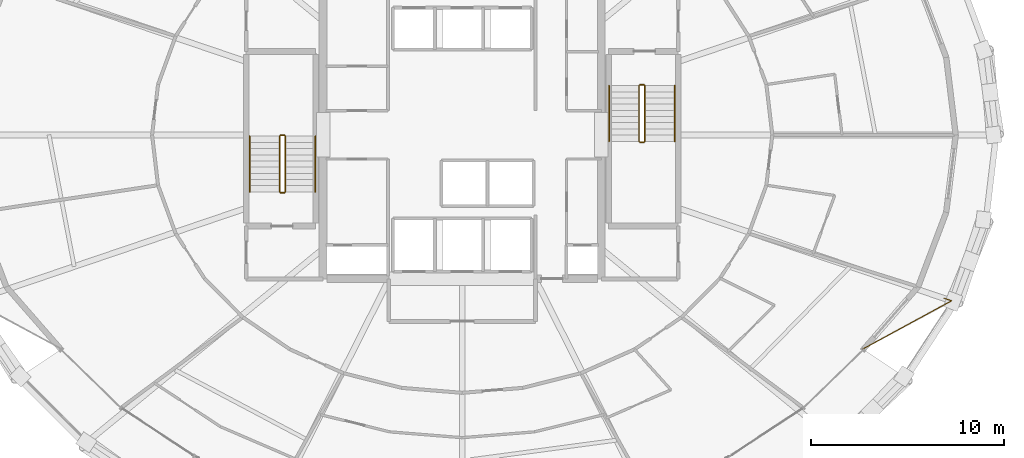
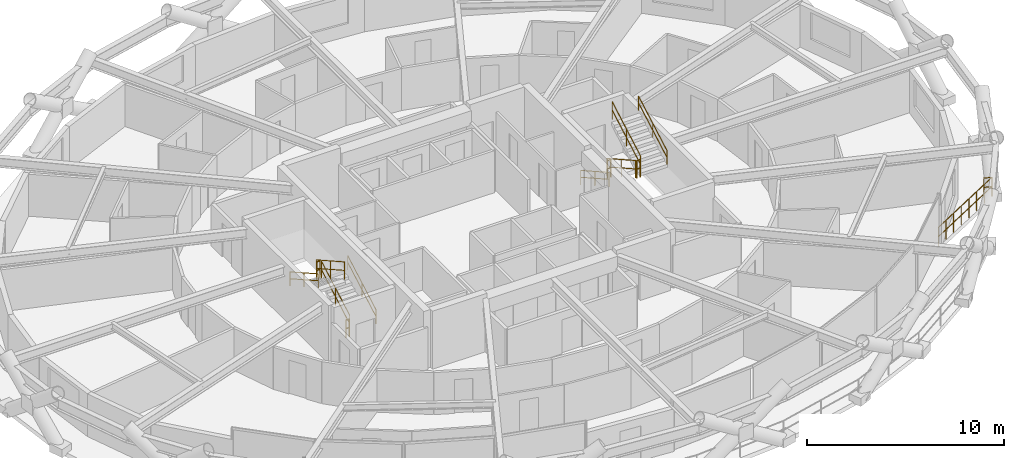
# One storey, part 17 of 17: 13 railings.
"""IFC4 building model written with IfcOpenShell, lengths in metres."""

from ifc_helpers import new_model, si_unit, direction, frame, origin, origin_2d, place, context, subcontext, project, spatial, circle, extrude, material, type_object, element, save


model = new_model("IFC4")

# Units and contexts
model_context = context("Model", 3, precision=1e-05, world=origin(), true_north=direction((0.0, 1.0)))
body_context = subcontext(model_context, "Body", "Model", "MODEL_VIEW")
ifc_project = project(units=[si_unit("LENGTHUNIT", "METRE"), si_unit("AREAUNIT", "SQUARE_METRE"), si_unit("VOLUMEUNIT", "CUBIC_METRE"), si_unit("PLANEANGLEUNIT", "RADIAN"), si_unit("MASSUNIT", "GRAM", prefix="KILO")], contexts=[model_context])

# Site, building, storey
site_placement = place(None, origin())
site = spatial("IfcSite", under=ifc_project, at=site_placement, CompositionType="ELEMENT")
building_placement = place(site_placement, origin())
building = spatial("IfcBuilding", under=site, at=building_placement, Name="Veldorina Hangang Commons", CompositionType="ELEMENT")
storey_placement = place(building_placement, frame((0.0, 0.0, 30.39990234375)))
storey = spatial("IfcBuildingStorey", under=building, at=storey_placement, Name="L06", CompositionType="ELEMENT", Elevation=30.39990234375)

# Railings
ifc_material_1 = material(Name="Glass Laminated Safety Balustrade", Category="glass")
railing_type_1 = type_object("IfcRailingType", Name="RL-BAL-LOGGIA", PredefinedType="BALUSTRADE", material=ifc_material_1)
railing_1_placement = place(storey_placement, frame((56.93310546875, 15.550048828125, 0.0)))
element("IfcRailing", 1, at=railing_1_placement, inside=storey, type_object=railing_type_1, Name="L06 sky-garden loggia end balustrade B", PredefinedType="BALUSTRADE", context=body_context, shape_type="SweptSolid", body=[
    extrude(circle(Radius=0.02392578125, at=origin_2d()), frame((0.0, 0.0, 1.17578125), z_axis=(0.947101827143, -0.320933215828, 0.0), x_axis=(0.320933215828, 0.947101827143, 0.0)), (0.0, 0.0, 1.0), 0.419921875),
    extrude(circle(Radius=0.02392578125, at=origin_2d()), frame((0.0, 0.0, 0.60009765625), z_axis=(0.947101827143, -0.320933215828, 0.0), x_axis=(0.320933215828, 0.947101827143, 0.0)), (0.0, 0.0, 1.0), 0.419921875),
    extrude(circle(Radius=0.02392578125, at=origin_2d()), frame((0.397705078125, -0.134765625, 1.17578125), z_axis=(-0.878721986398, -0.477333919411, 0.0), x_axis=(0.477333919411, -0.878721986398, 0.0)), (0.0, 0.0, 1.0), 5.230224609375),
    extrude(circle(Radius=0.02392578125, at=origin_2d()), frame((0.397705078125, -0.134765625, 0.60009765625), z_axis=(-0.878721986398, -0.477333919411, 0.0), x_axis=(0.477333919411, -0.878721986398, 0.0)), (0.0, 0.0, 1.0), 5.230224609375),
    extrude(circle(Radius=0.02099609375, at=origin_2d()), origin(), (0.0, 0.0, 1.0), 1.15185546875),
    extrude(circle(Radius=0.02099609375, at=origin_2d()), frame((0.397705078125, -0.134765625, 0.0)), (0.0, 0.0, 1.0), 1.15185546875),
    extrude(circle(Radius=0.02099609375, at=origin_2d()), frame((-0.2587890625, -0.491455078125, 0.0)), (0.0, 0.0, 1.0), 1.15185546875),
    extrude(circle(Radius=0.02099609375, at=origin_2d()), frame((-0.91552734375, -0.84814453125, 0.0)), (0.0, 0.0, 1.0), 1.15185546875),
    extrude(circle(Radius=0.02099609375, at=origin_2d()), frame((-1.572021484375, -1.204833984375, 0.0)), (0.0, 0.0, 1.0), 1.15185546875),
    extrude(circle(Radius=0.02099609375, at=origin_2d()), frame((-2.228515625, -1.561279296875, 0.0)), (0.0, 0.0, 1.0), 1.15185546875),
    extrude(circle(Radius=0.02099609375, at=origin_2d()), frame((-2.885009765625, -1.91796875, 0.0)), (0.0, 0.0, 1.0), 1.15185546875),
    extrude(circle(Radius=0.02099609375, at=origin_2d()), frame((-3.541748046875, -2.274658203125, 0.0)), (0.0, 0.0, 1.0), 1.15185546875),
    extrude(circle(Radius=0.02099609375, at=origin_2d()), frame((-4.1982421875, -2.63134765625, 0.0)), (0.0, 0.0, 1.0), 1.15185546875),
])
ifc_material_2 = material(Name="Steel Painted Balustrade", Category="steel")
railing_type_2 = type_object("IfcRailingType", Name="RL-GRD-STAIR", PredefinedType="GUARDRAIL", material=ifc_material_2)
railing_2_placement = place(storey_placement, frame((22.85009765625, 21.050048828125, 0.18017578125)))
element("IfcRailing", 2, at=railing_2_placement, inside=storey, type_object=railing_type_2, Name="L06 ST-1 stair guard 1", PredefinedType="GUARDRAIL", context=body_context, shape_type="SweptSolid", body=[
    extrude(circle(Radius=0.02392578125, at=origin_2d()), frame((0.0, 0.0, 1.076171875), z_axis=(0.0, 0.871583430097, 0.490247207417), x_axis=(-1.0, 0.0, 0.0)), (0.0, 0.0, 1.0), 3.30419921875),
    extrude(circle(Radius=0.02392578125, at=origin_2d()), frame((0.0, 0.0, 0.550048828125), z_axis=(0.0, 0.871583430097, 0.490247207417), x_axis=(-1.0, 0.0, 0.0)), (0.0, 0.0, 1.0), 3.30419921875),
    extrude(circle(Radius=0.02099609375, at=origin_2d()), origin(), (0.0, 0.0, 1.0), 1.052001953125),
    extrude(circle(Radius=0.02099609375, at=origin_2d()), frame((0.0, 1.43994140625, 0.81005859375)), (0.0, 0.0, 1.0), 1.052001953125),
    extrude(circle(Radius=0.02099609375, at=origin_2d()), frame((0.0, 2.8798828125, 1.619873046875)), (0.0, 0.0, 1.0), 1.052001953125),
])
railing_3_placement = place(storey_placement, frame((22.800048828125, 23.97998046875, 1.800048828125)))
element("IfcRailing", 3, at=railing_3_placement, inside=storey, type_object=railing_type_2, Name="L06 ST-1 stair guard 2", PredefinedType="GUARDRAIL", context=body_context, shape_type="SweptSolid", body=[
    extrude(circle(Radius=0.02392578125, at=origin_2d()), frame((0.0, 0.0, 1.076171875), z_axis=(-1.0, 0.0, 0.0), x_axis=(0.0, -1.0, 0.0)), (0.0, 0.0, 1.0), 0.199951171875),
    extrude(circle(Radius=0.02392578125, at=origin_2d()), frame((0.0, 0.0, 0.550048828125), z_axis=(-1.0, 0.0, 0.0), x_axis=(0.0, -1.0, 0.0)), (0.0, 0.0, 1.0), 0.199951171875),
    extrude(circle(Radius=0.02099609375, at=origin_2d()), origin(), (0.0, 0.0, 1.0), 1.052001953125),
    extrude(circle(Radius=0.02099609375, at=origin_2d()), frame((-0.199951171875, 0.0, 0.0)), (0.0, 0.0, 1.0), 1.052001953125),
])
railing_4_placement = place(storey_placement, frame((22.550048828125, 23.929931640625, 1.97998046875)))
element("IfcRailing", 4, at=railing_4_placement, inside=storey, type_object=railing_type_2, Name="L06 ST-1 stair guard 3", PredefinedType="GUARDRAIL", context=body_context, shape_type="SweptSolid", body=[
    extrude(circle(Radius=0.02392578125, at=origin_2d()), frame((0.0, 0.0, 1.076171875), z_axis=(0.0, -0.87155185771, 0.490303333991), x_axis=(1.0, 0.0, 0.0)), (0.0, 0.0, 1.0), 3.30419921875),
    extrude(circle(Radius=0.02392578125, at=origin_2d()), frame((0.0, 0.0, 0.550048828125), z_axis=(0.0, -0.87155185771, 0.490303333991), x_axis=(1.0, 0.0, 0.0)), (0.0, 0.0, 1.0), 3.30419921875),
    extrude(circle(Radius=0.02099609375, at=origin_2d()), origin(), (0.0, 0.0, 1.0), 1.052001953125),
    extrude(circle(Radius=0.02099609375, at=origin_2d()), frame((0.0, -1.43994140625, 0.81005859375)), (0.0, 0.0, 1.0), 1.052001953125),
    extrude(circle(Radius=0.02099609375, at=origin_2d()), frame((0.0, -2.8798828125, 1.6201171875)), (0.0, 0.0, 1.0), 1.052001953125),
])
railing_5_placement = place(storey_placement, frame((22.800048828125, 21.0, 0.0)))
element("IfcRailing", 5, at=railing_5_placement, inside=storey, type_object=railing_type_2, Name="L06 ST-1 stair guard 4", PredefinedType="GUARDRAIL", context=body_context, shape_type="SweptSolid", body=[
    extrude(circle(Radius=0.02392578125, at=origin_2d()), frame((0.0, 0.0, 1.076171875), z_axis=(-1.0, 0.0, 0.0), x_axis=(0.0, -1.0, 0.0)), (0.0, 0.0, 1.0), 0.199951171875),
    extrude(circle(Radius=0.02392578125, at=origin_2d()), frame((0.0, 0.0, 0.550048828125), z_axis=(-1.0, 0.0, 0.0), x_axis=(0.0, -1.0, 0.0)), (0.0, 0.0, 1.0), 0.199951171875),
    extrude(circle(Radius=0.02099609375, at=origin_2d()), origin(), (0.0, 0.0, 1.0), 1.052001953125),
    extrude(circle(Radius=0.02099609375, at=origin_2d()), frame((-0.199951171875, 0.0, 0.0)), (0.0, 0.0, 1.0), 1.052001953125),
])
railing_6_placement = place(storey_placement, frame((41.14990234375, 26.550048828125, 0.18017578125)))
element("IfcRailing", 6, at=railing_6_placement, inside=storey, type_object=railing_type_2, Name="L06 ST-2 stair guard 1", PredefinedType="GUARDRAIL", context=body_context, shape_type="SweptSolid", body=[
    extrude(circle(Radius=0.02392578125, at=origin_2d()), frame((0.0, 0.0, 1.076171875), z_axis=(0.0, -0.871601186807, 0.490215637405), x_axis=(1.0, 0.0, 0.0)), (0.0, 0.0, 1.0), 3.304443359375),
    extrude(circle(Radius=0.02392578125, at=origin_2d()), frame((0.0, 0.0, 0.550048828125), z_axis=(0.0, -0.871601186807, 0.490215637405), x_axis=(1.0, 0.0, 0.0)), (0.0, 0.0, 1.0), 3.304443359375),
    extrude(circle(Radius=0.02099609375, at=origin_2d()), origin(), (0.0, 0.0, 1.0), 1.052001953125),
    extrude(circle(Radius=0.02099609375, at=origin_2d()), frame((0.0, -1.43994140625, 0.81005859375)), (0.0, 0.0, 1.0), 1.052001953125),
    extrude(circle(Radius=0.02099609375, at=origin_2d()), frame((0.0, -2.880126953125, 1.619873046875)), (0.0, 0.0, 1.0), 1.052001953125),
])
railing_7_placement = place(storey_placement, frame((41.199951171875, 23.6201171875, 1.800048828125)))
element("IfcRailing", 7, at=railing_7_placement, inside=storey, type_object=railing_type_2, Name="L06 ST-2 stair guard 2", PredefinedType="GUARDRAIL", context=body_context, shape_type="SweptSolid", body=[
    extrude(circle(Radius=0.02392578125, at=origin_2d()), frame((0.0, 0.0, 1.076171875), z_axis=(1.0, 0.0, 0.0), x_axis=(0.0, 1.0, 0.0)), (0.0, 0.0, 1.0), 0.199951171875),
    extrude(circle(Radius=0.02392578125, at=origin_2d()), frame((0.0, 0.0, 0.550048828125), z_axis=(1.0, 0.0, 0.0), x_axis=(0.0, 1.0, 0.0)), (0.0, 0.0, 1.0), 0.199951171875),
    extrude(circle(Radius=0.02099609375, at=origin_2d()), origin(), (0.0, 0.0, 1.0), 1.052001953125),
    extrude(circle(Radius=0.02099609375, at=origin_2d()), frame((0.199951171875, 0.0, 0.0)), (0.0, 0.0, 1.0), 1.052001953125),
])
railing_8_placement = place(storey_placement, frame((41.449951171875, 23.669921875, 1.97998046875)))
element("IfcRailing", 8, at=railing_8_placement, inside=storey, type_object=railing_type_2, Name="L06 ST-2 stair guard 3", PredefinedType="GUARDRAIL", context=body_context, shape_type="SweptSolid", body=[
    extrude(circle(Radius=0.02392578125, at=origin_2d()), frame((0.0, 0.0, 1.076171875), z_axis=(0.0, 0.871569617843, 0.490271762652), x_axis=(-1.0, 0.0, 0.0)), (0.0, 0.0, 1.0), 3.304443359375),
    extrude(circle(Radius=0.02392578125, at=origin_2d()), frame((0.0, 0.0, 0.550048828125), z_axis=(0.0, 0.871569617843, 0.490271762652), x_axis=(-1.0, 0.0, 0.0)), (0.0, 0.0, 1.0), 3.304443359375),
    extrude(circle(Radius=0.02099609375, at=origin_2d()), origin(), (0.0, 0.0, 1.0), 1.052001953125),
    extrude(circle(Radius=0.02099609375, at=origin_2d()), frame((0.0, 1.43994140625, 0.81005859375)), (0.0, 0.0, 1.0), 1.052001953125),
    extrude(circle(Radius=0.02099609375, at=origin_2d()), frame((0.0, 2.880126953125, 1.6201171875)), (0.0, 0.0, 1.0), 1.052001953125),
])
railing_9_placement = place(storey_placement, frame((41.199951171875, 26.60009765625, 0.0)))
element("IfcRailing", 9, at=railing_9_placement, inside=storey, type_object=railing_type_2, Name="L06 ST-2 stair guard 4", PredefinedType="GUARDRAIL", context=body_context, shape_type="SweptSolid", body=[
    extrude(circle(Radius=0.02392578125, at=origin_2d()), frame((0.0, 0.0, 1.076171875), z_axis=(1.0, 0.0, 0.0), x_axis=(0.0, 1.0, 0.0)), (0.0, 0.0, 1.0), 0.199951171875),
    extrude(circle(Radius=0.02392578125, at=origin_2d()), frame((0.0, 0.0, 0.550048828125), z_axis=(1.0, 0.0, 0.0), x_axis=(0.0, 1.0, 0.0)), (0.0, 0.0, 1.0), 0.199951171875),
    extrude(circle(Radius=0.02099609375, at=origin_2d()), origin(), (0.0, 0.0, 1.0), 1.052001953125),
    extrude(circle(Radius=0.02099609375, at=origin_2d()), frame((0.199951171875, 0.0, 0.0)), (0.0, 0.0, 1.0), 1.052001953125),
])
ifc_material_3 = material(Name="Stainless Steel Brushed 316", Category="steel")
railing_type_3 = type_object("IfcRailingType", Name="RL-HND-STAIR", PredefinedType="HANDRAIL", material=ifc_material_3)
railing_10_placement = place(storey_placement, frame((24.39990234375, 21.050048828125, 0.18017578125)))
element("IfcRailing", 10, at=railing_10_placement, inside=storey, type_object=railing_type_3, Name="L06 ST-1 stair handrail 1", PredefinedType="HANDRAIL", context=body_context, shape_type="SweptSolid", body=[
    extrude(circle(Radius=0.02392578125, at=origin_2d()), frame((0.0, 0.0, 0.8759765625), z_axis=(0.0, 0.871583430097, 0.490247207417), x_axis=(-1.0, 0.0, 0.0)), (0.0, 0.0, 1.0), 3.30419921875),
    extrude(circle(Radius=0.02392578125, at=origin_2d()), frame((0.0, 0.0, 0.449951171875), z_axis=(0.0, 0.871583430097, 0.490247207417), x_axis=(-1.0, 0.0, 0.0)), (0.0, 0.0, 1.0), 3.30419921875),
    extrude(circle(Radius=0.02099609375, at=origin_2d()), origin(), (0.0, 0.0, 1.0), 0.851806640625),
    extrude(circle(Radius=0.02099609375, at=origin_2d()), frame((0.0, 1.43994140625, 0.81005859375)), (0.0, 0.0, 1.0), 0.851806640625),
    extrude(circle(Radius=0.02099609375, at=origin_2d()), frame((0.0, 2.8798828125, 1.619873046875)), (0.0, 0.0, 1.0), 0.851806640625),
])
railing_11_placement = place(storey_placement, frame((21.0, 23.929931640625, 1.97998046875)))
element("IfcRailing", 11, at=railing_11_placement, inside=storey, type_object=railing_type_3, Name="L06 ST-1 stair handrail 2", PredefinedType="HANDRAIL", context=body_context, shape_type="SweptSolid", body=[
    extrude(circle(Radius=0.02392578125, at=origin_2d()), frame((0.0, 0.0, 0.8759765625), z_axis=(0.0, -0.87155185771, 0.490303333991), x_axis=(1.0, 0.0, 0.0)), (0.0, 0.0, 1.0), 3.30419921875),
    extrude(circle(Radius=0.02392578125, at=origin_2d()), frame((0.0, 0.0, 0.449951171875), z_axis=(0.0, -0.87155185771, 0.490303333991), x_axis=(1.0, 0.0, 0.0)), (0.0, 0.0, 1.0), 3.30419921875),
    extrude(circle(Radius=0.02099609375, at=origin_2d()), origin(), (0.0, 0.0, 1.0), 0.851806640625),
    extrude(circle(Radius=0.02099609375, at=origin_2d()), frame((0.0, -1.43994140625, 0.81005859375)), (0.0, 0.0, 1.0), 0.851806640625),
    extrude(circle(Radius=0.02099609375, at=origin_2d()), frame((0.0, -2.8798828125, 1.6201171875)), (0.0, 0.0, 1.0), 0.851806640625),
])
railing_12_placement = place(storey_placement, frame((39.60009765625, 26.550048828125, 0.18017578125)))
element("IfcRailing", 12, at=railing_12_placement, inside=storey, type_object=railing_type_3, Name="L06 ST-2 stair handrail 1", PredefinedType="HANDRAIL", context=body_context, shape_type="SweptSolid", body=[
    extrude(circle(Radius=0.02392578125, at=origin_2d()), frame((0.0, 0.0, 0.8759765625), z_axis=(0.0, -0.871601186807, 0.490215637405), x_axis=(1.0, 0.0, 0.0)), (0.0, 0.0, 1.0), 3.304443359375),
    extrude(circle(Radius=0.02392578125, at=origin_2d()), frame((0.0, 0.0, 0.449951171875), z_axis=(0.0, -0.871601186807, 0.490215637405), x_axis=(1.0, 0.0, 0.0)), (0.0, 0.0, 1.0), 3.304443359375),
    extrude(circle(Radius=0.02099609375, at=origin_2d()), origin(), (0.0, 0.0, 1.0), 0.851806640625),
    extrude(circle(Radius=0.02099609375, at=origin_2d()), frame((0.0, -1.43994140625, 0.81005859375)), (0.0, 0.0, 1.0), 0.851806640625),
    extrude(circle(Radius=0.02099609375, at=origin_2d()), frame((0.0, -2.880126953125, 1.619873046875)), (0.0, 0.0, 1.0), 0.851806640625),
])
railing_13_placement = place(storey_placement, frame((43.0, 23.669921875, 1.97998046875)))
element("IfcRailing", 13, at=railing_13_placement, inside=storey, type_object=railing_type_3, Name="L06 ST-2 stair handrail 2", PredefinedType="HANDRAIL", context=body_context, shape_type="SweptSolid", body=[
    extrude(circle(Radius=0.02392578125, at=origin_2d()), frame((0.0, 0.0, 0.8759765625), z_axis=(0.0, 0.871569617843, 0.490271762652), x_axis=(-1.0, 0.0, 0.0)), (0.0, 0.0, 1.0), 3.304443359375),
    extrude(circle(Radius=0.02392578125, at=origin_2d()), frame((0.0, 0.0, 0.449951171875), z_axis=(0.0, 0.871569617843, 0.490271762652), x_axis=(-1.0, 0.0, 0.0)), (0.0, 0.0, 1.0), 3.304443359375),
    extrude(circle(Radius=0.02099609375, at=origin_2d()), origin(), (0.0, 0.0, 1.0), 0.851806640625),
    extrude(circle(Radius=0.02099609375, at=origin_2d()), frame((0.0, 1.43994140625, 0.81005859375)), (0.0, 0.0, 1.0), 0.851806640625),
    extrude(circle(Radius=0.02099609375, at=origin_2d()), frame((0.0, 2.880126953125, 1.6201171875)), (0.0, 0.0, 1.0), 0.851806640625),
])

save(model, "model.ifc")
